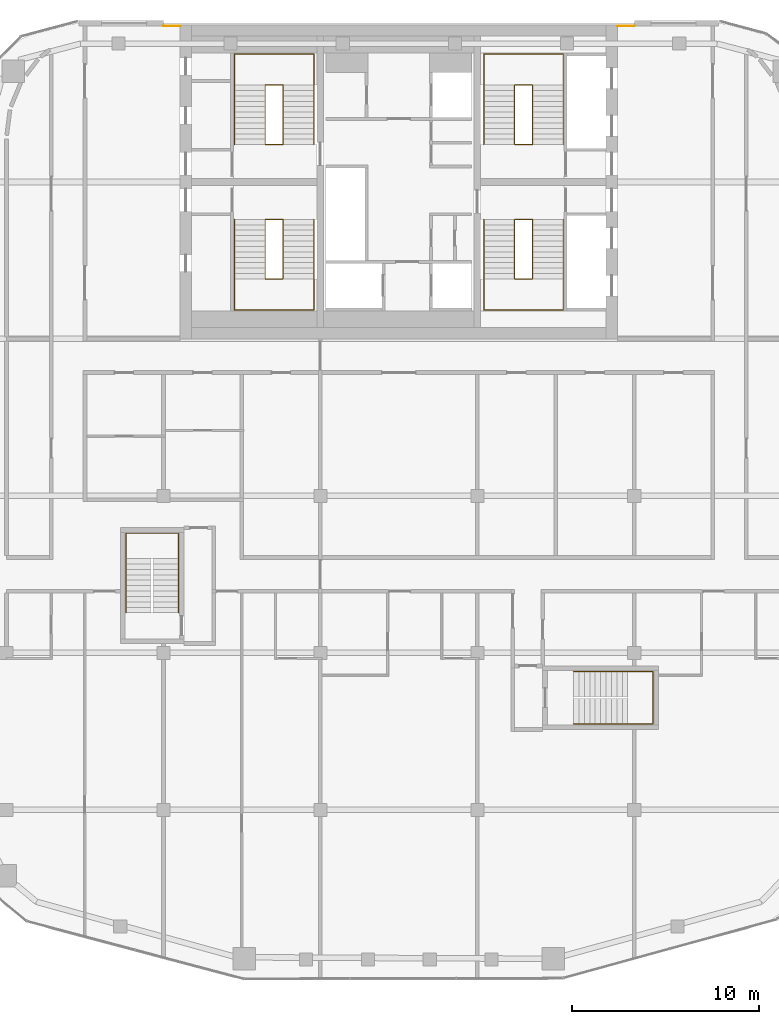
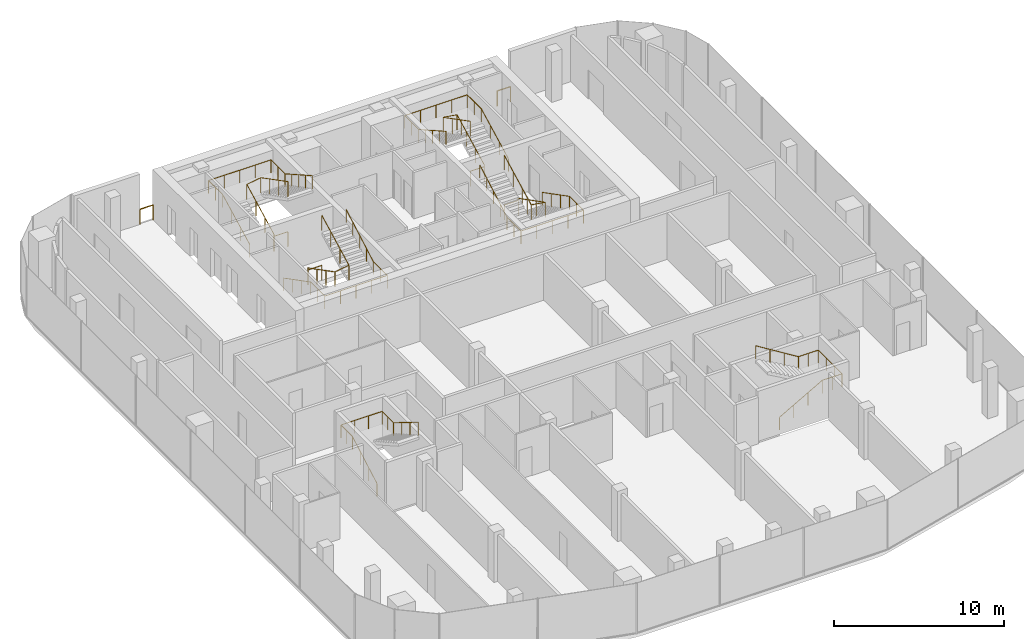
# One storey, part 19 of 19: 12 railings.
"""IFC4 building model written with IfcOpenShell, lengths in metres."""

from ifc_helpers import new_model, si_unit, direction, frame, origin, origin_2d, place, context, subcontext, project, spatial, circle, extrude, material, type_object, element, save


model = new_model("IFC4")

# Units and contexts
model_context = context("Model", 3, precision=1e-05, world=origin(), true_north=direction((0.0, 1.0)))
body_context = subcontext(model_context, "Body", "Model", "MODEL_VIEW")
ifc_project = project(units=[si_unit("LENGTHUNIT", "METRE"), si_unit("AREAUNIT", "SQUARE_METRE"), si_unit("VOLUMEUNIT", "CUBIC_METRE"), si_unit("PLANEANGLEUNIT", "RADIAN"), si_unit("MASSUNIT", "GRAM", prefix="KILO")], contexts=[model_context])

# Site, building, storey
site_placement = place(None, origin())
site = spatial("IfcSite", under=ifc_project, at=site_placement, CompositionType="ELEMENT")
building_placement = place(site_placement, origin())
building = spatial("IfcBuilding", under=site, at=building_placement, Name="Marenta Gate Hotel Tower", CompositionType="ELEMENT")
storey_placement = place(building_placement, frame((0.0, 0.0, 274.10009765625)))
storey = spatial("IfcBuildingStorey", under=building, at=storey_placement, Name="L63", CompositionType="ELEMENT", Elevation=274.10009765625)

# Railings
ifc_material_1 = material(Name="Stainless steel", Category="steel")
railing_type_1 = type_object("IfcRailingType", Name="Core stair handrail 950", PredefinedType="HANDRAIL", material=ifc_material_1)
railing_1_placement = place(storey_placement, frame((-8.800048828125, 6.39990234375, 0.14990234375)))
element("IfcRailing", 1, at=railing_1_placement, inside=storey, type_object=railing_type_1, Name="HR-950 L63-KR-ST1-1", PredefinedType="HANDRAIL", context=body_context, shape_type="SweptSolid", body=[
    extrude(circle(Radius=0.02392578125, at=origin_2d()), frame((0.0, 0.0, 0.92578125), z_axis=(0.0, -0.888225295554, 0.459408123936), x_axis=(1.0, 0.0, 0.0)), (0.0, 0.0, 1.0), 3.59130859375),
    extrude(circle(Radius=0.02392578125, at=origin_2d()), frame((0.0, -3.18994140625, 2.57568359375), z_axis=(0.0, -1.0, 0.0), x_axis=(1.0, 0.0, 0.0)), (0.0, 0.0, 1.0), 1.659912109375),
    extrude(circle(Radius=0.02392578125, at=origin_2d()), frame((0.0, -4.849853515625, 2.57568359375), z_axis=(1.0, 0.0, 0.0), x_axis=(0.0, 1.0, 0.0)), (0.0, 0.0, 1.0), 4.25),
    extrude(circle(Radius=0.02392578125, at=origin_2d()), frame((4.25, -4.849853515625, 2.57568359375), z_axis=(0.0, 1.0, 0.0), x_axis=(-1.0, 0.0, 0.0)), (0.0, 0.0, 1.0), 1.659912109375),
    extrude(circle(Radius=0.02392578125, at=origin_2d()), frame((4.25, -3.18994140625, 2.57568359375), z_axis=(0.0, 0.87090897868, 0.491444351738), x_axis=(-1.0, 0.0, 0.0)), (0.0, 0.0, 1.0), 3.662841796875),
    extrude(circle(Radius=0.02099609375, at=origin_2d()), origin(), (0.0, 0.0, 1.0), 0.90185546875),
    extrude(circle(Radius=0.02099609375, at=origin_2d()), frame((0.0, -1.063232421875, 0.550048828125)), (0.0, 0.0, 1.0), 0.90185546875),
    extrude(circle(Radius=0.02099609375, at=origin_2d()), frame((0.0, -2.126708984375, 1.099853515625)), (0.0, 0.0, 1.0), 0.90185546875),
    extrude(circle(Radius=0.02099609375, at=origin_2d()), frame((0.0, -3.18994140625, 1.64990234375)), (0.0, 0.0, 1.0), 0.90185546875),
    extrude(circle(Radius=0.02099609375, at=origin_2d()), frame((0.0, -4.02001953125, 1.64990234375)), (0.0, 0.0, 1.0), 0.90185546875),
    extrude(circle(Radius=0.02099609375, at=origin_2d()), frame((0.0, -4.849853515625, 1.64990234375)), (0.0, 0.0, 1.0), 0.90185546875),
    extrude(circle(Radius=0.02099609375, at=origin_2d()), frame((1.0625, -4.849853515625, 1.64990234375)), (0.0, 0.0, 1.0), 0.90185546875),
    extrude(circle(Radius=0.02099609375, at=origin_2d()), frame((2.125, -4.849853515625, 1.64990234375)), (0.0, 0.0, 1.0), 0.90185546875),
    extrude(circle(Radius=0.02099609375, at=origin_2d()), frame((3.1875, -4.849853515625, 1.64990234375)), (0.0, 0.0, 1.0), 0.90185546875),
    extrude(circle(Radius=0.02099609375, at=origin_2d()), frame((4.25, -4.849853515625, 1.64990234375)), (0.0, 0.0, 1.0), 0.90185546875),
    extrude(circle(Radius=0.02099609375, at=origin_2d()), frame((4.25, -4.02001953125, 1.64990234375)), (0.0, 0.0, 1.0), 0.90185546875),
    extrude(circle(Radius=0.02099609375, at=origin_2d()), frame((4.25, -3.18994140625, 1.64990234375)), (0.0, 0.0, 1.0), 0.90185546875),
    extrude(circle(Radius=0.02099609375, at=origin_2d()), frame((4.25, -2.392578125, 2.099853515625)), (0.0, 0.0, 1.0), 0.90185546875),
    extrude(circle(Radius=0.02099609375, at=origin_2d()), frame((4.25, -1.594970703125, 2.5498046875)), (0.0, 0.0, 1.0), 0.90185546875),
    extrude(circle(Radius=0.02099609375, at=origin_2d()), frame((4.25, -0.79736328125, 3.0)), (0.0, 0.0, 1.0), 0.90185546875),
    extrude(circle(Radius=0.02099609375, at=origin_2d()), frame((4.25, 0.0, 3.449951171875)), (0.0, 0.0, 1.0), 0.90185546875),
])
railing_2_placement = place(storey_placement, frame((-8.800048828125, 10.39990234375, 0.14990234375)))
element("IfcRailing", 2, at=railing_2_placement, inside=storey, type_object=railing_type_1, Name="HR-950 L63-KR-ST2-1", PredefinedType="HANDRAIL", context=body_context, shape_type="SweptSolid", body=[
    extrude(circle(Radius=0.02392578125, at=origin_2d()), frame((0.0, 0.0, 0.92578125), z_axis=(0.0, 0.888239641807, 0.459380385653), x_axis=(-1.0, 0.0, 0.0)), (0.0, 0.0, 1.0), 3.591552734375),
    extrude(circle(Radius=0.02392578125, at=origin_2d()), frame((0.0, 3.190185546875, 2.57568359375), z_axis=(0.0, 1.0, 0.0), x_axis=(-1.0, 0.0, 0.0)), (0.0, 0.0, 1.0), 1.659912109375),
    extrude(circle(Radius=0.02392578125, at=origin_2d()), frame((0.0, 4.85009765625, 2.57568359375), z_axis=(1.0, 0.0, 0.0), x_axis=(0.0, 1.0, 0.0)), (0.0, 0.0, 1.0), 4.25),
    extrude(circle(Radius=0.02392578125, at=origin_2d()), frame((4.25, 4.85009765625, 2.57568359375), z_axis=(0.0, -1.0, 0.0), x_axis=(1.0, 0.0, 0.0)), (0.0, 0.0, 1.0), 1.659912109375),
    extrude(circle(Radius=0.02392578125, at=origin_2d()), frame((4.25, 3.190185546875, 2.57568359375), z_axis=(0.0, -0.870925075533, 0.491415824742), x_axis=(1.0, 0.0, 0.0)), (0.0, 0.0, 1.0), 3.6630859375),
    extrude(circle(Radius=0.02099609375, at=origin_2d()), origin(), (0.0, 0.0, 1.0), 0.90185546875),
    extrude(circle(Radius=0.02099609375, at=origin_2d()), frame((0.0, 1.0634765625, 0.550048828125)), (0.0, 0.0, 1.0), 0.90185546875),
    extrude(circle(Radius=0.02099609375, at=origin_2d()), frame((0.0, 2.126708984375, 1.099853515625)), (0.0, 0.0, 1.0), 0.90185546875),
    extrude(circle(Radius=0.02099609375, at=origin_2d()), frame((0.0, 3.190185546875, 1.64990234375)), (0.0, 0.0, 1.0), 0.90185546875),
    extrude(circle(Radius=0.02099609375, at=origin_2d()), frame((0.0, 4.02001953125, 1.64990234375)), (0.0, 0.0, 1.0), 0.90185546875),
    extrude(circle(Radius=0.02099609375, at=origin_2d()), frame((0.0, 4.85009765625, 1.64990234375)), (0.0, 0.0, 1.0), 0.90185546875),
    extrude(circle(Radius=0.02099609375, at=origin_2d()), frame((1.0625, 4.85009765625, 1.64990234375)), (0.0, 0.0, 1.0), 0.90185546875),
    extrude(circle(Radius=0.02099609375, at=origin_2d()), frame((2.125, 4.85009765625, 1.64990234375)), (0.0, 0.0, 1.0), 0.90185546875),
    extrude(circle(Radius=0.02099609375, at=origin_2d()), frame((3.1875, 4.85009765625, 1.64990234375)), (0.0, 0.0, 1.0), 0.90185546875),
    extrude(circle(Radius=0.02099609375, at=origin_2d()), frame((4.25, 4.85009765625, 1.64990234375)), (0.0, 0.0, 1.0), 0.90185546875),
    extrude(circle(Radius=0.02099609375, at=origin_2d()), frame((4.25, 4.02001953125, 1.64990234375)), (0.0, 0.0, 1.0), 0.90185546875),
    extrude(circle(Radius=0.02099609375, at=origin_2d()), frame((4.25, 3.190185546875, 1.64990234375)), (0.0, 0.0, 1.0), 0.90185546875),
    extrude(circle(Radius=0.02099609375, at=origin_2d()), frame((4.25, 2.392578125, 2.099853515625)), (0.0, 0.0, 1.0), 0.90185546875),
    extrude(circle(Radius=0.02099609375, at=origin_2d()), frame((4.25, 1.59521484375, 2.5498046875)), (0.0, 0.0, 1.0), 0.90185546875),
    extrude(circle(Radius=0.02099609375, at=origin_2d()), frame((4.25, 0.797607421875, 3.0)), (0.0, 0.0, 1.0), 0.90185546875),
    extrude(circle(Radius=0.02099609375, at=origin_2d()), frame((4.25, 0.0, 3.449951171875)), (0.0, 0.0, 1.0), 0.90185546875),
])
railing_3_placement = place(storey_placement, frame((8.800048828125, 6.39990234375, 0.14990234375)))
element("IfcRailing", 3, at=railing_3_placement, inside=storey, type_object=railing_type_1, Name="HR-950 L63-KR-ST3-1", PredefinedType="HANDRAIL", context=body_context, shape_type="SweptSolid", body=[
    extrude(circle(Radius=0.02392578125, at=origin_2d()), frame((0.0, 0.0, 0.92578125), z_axis=(0.0, -0.888225295554, 0.459408123936), x_axis=(1.0, 0.0, 0.0)), (0.0, 0.0, 1.0), 3.59130859375),
    extrude(circle(Radius=0.02392578125, at=origin_2d()), frame((0.0, -3.18994140625, 2.57568359375), z_axis=(0.0, -1.0, 0.0), x_axis=(1.0, 0.0, 0.0)), (0.0, 0.0, 1.0), 1.659912109375),
    extrude(circle(Radius=0.02392578125, at=origin_2d()), frame((0.0, -4.849853515625, 2.57568359375), z_axis=(-1.0, 0.0, 0.0), x_axis=(0.0, -1.0, 0.0)), (0.0, 0.0, 1.0), 4.25),
    extrude(circle(Radius=0.02392578125, at=origin_2d()), frame((-4.25, -4.849853515625, 2.57568359375), z_axis=(0.0, 1.0, 0.0), x_axis=(-1.0, 0.0, 0.0)), (0.0, 0.0, 1.0), 1.659912109375),
    extrude(circle(Radius=0.02392578125, at=origin_2d()), frame((-4.25, -3.18994140625, 2.57568359375), z_axis=(0.0, 0.87090897868, 0.491444351738), x_axis=(-1.0, 0.0, 0.0)), (0.0, 0.0, 1.0), 3.662841796875),
    extrude(circle(Radius=0.02099609375, at=origin_2d()), origin(), (0.0, 0.0, 1.0), 0.90185546875),
    extrude(circle(Radius=0.02099609375, at=origin_2d()), frame((0.0, -1.063232421875, 0.550048828125)), (0.0, 0.0, 1.0), 0.90185546875),
    extrude(circle(Radius=0.02099609375, at=origin_2d()), frame((0.0, -2.126708984375, 1.099853515625)), (0.0, 0.0, 1.0), 0.90185546875),
    extrude(circle(Radius=0.02099609375, at=origin_2d()), frame((0.0, -3.18994140625, 1.64990234375)), (0.0, 0.0, 1.0), 0.90185546875),
    extrude(circle(Radius=0.02099609375, at=origin_2d()), frame((0.0, -4.02001953125, 1.64990234375)), (0.0, 0.0, 1.0), 0.90185546875),
    extrude(circle(Radius=0.02099609375, at=origin_2d()), frame((0.0, -4.849853515625, 1.64990234375)), (0.0, 0.0, 1.0), 0.90185546875),
    extrude(circle(Radius=0.02099609375, at=origin_2d()), frame((-1.0625, -4.849853515625, 1.64990234375)), (0.0, 0.0, 1.0), 0.90185546875),
    extrude(circle(Radius=0.02099609375, at=origin_2d()), frame((-2.125, -4.849853515625, 1.64990234375)), (0.0, 0.0, 1.0), 0.90185546875),
    extrude(circle(Radius=0.02099609375, at=origin_2d()), frame((-3.1875, -4.849853515625, 1.64990234375)), (0.0, 0.0, 1.0), 0.90185546875),
    extrude(circle(Radius=0.02099609375, at=origin_2d()), frame((-4.25, -4.849853515625, 1.64990234375)), (0.0, 0.0, 1.0), 0.90185546875),
    extrude(circle(Radius=0.02099609375, at=origin_2d()), frame((-4.25, -4.02001953125, 1.64990234375)), (0.0, 0.0, 1.0), 0.90185546875),
    extrude(circle(Radius=0.02099609375, at=origin_2d()), frame((-4.25, -3.18994140625, 1.64990234375)), (0.0, 0.0, 1.0), 0.90185546875),
    extrude(circle(Radius=0.02099609375, at=origin_2d()), frame((-4.25, -2.392578125, 2.099853515625)), (0.0, 0.0, 1.0), 0.90185546875),
    extrude(circle(Radius=0.02099609375, at=origin_2d()), frame((-4.25, -1.594970703125, 2.5498046875)), (0.0, 0.0, 1.0), 0.90185546875),
    extrude(circle(Radius=0.02099609375, at=origin_2d()), frame((-4.25, -0.79736328125, 3.0)), (0.0, 0.0, 1.0), 0.90185546875),
    extrude(circle(Radius=0.02099609375, at=origin_2d()), frame((-4.25, 0.0, 3.449951171875)), (0.0, 0.0, 1.0), 0.90185546875),
])
railing_4_placement = place(storey_placement, frame((8.800048828125, 10.39990234375, 0.14990234375)))
element("IfcRailing", 4, at=railing_4_placement, inside=storey, type_object=railing_type_1, Name="HR-950 L63-KR-ST4-1", PredefinedType="HANDRAIL", context=body_context, shape_type="SweptSolid", body=[
    extrude(circle(Radius=0.02392578125, at=origin_2d()), frame((0.0, 0.0, 0.92578125), z_axis=(0.0, 0.888239641807, 0.459380385653), x_axis=(-1.0, 0.0, 0.0)), (0.0, 0.0, 1.0), 3.591552734375),
    extrude(circle(Radius=0.02392578125, at=origin_2d()), frame((0.0, 3.190185546875, 2.57568359375), z_axis=(0.0, 1.0, 0.0), x_axis=(-1.0, 0.0, 0.0)), (0.0, 0.0, 1.0), 1.659912109375),
    extrude(circle(Radius=0.02392578125, at=origin_2d()), frame((0.0, 4.85009765625, 2.57568359375), z_axis=(-1.0, 0.0, 0.0), x_axis=(0.0, -1.0, 0.0)), (0.0, 0.0, 1.0), 4.25),
    extrude(circle(Radius=0.02392578125, at=origin_2d()), frame((-4.25, 4.85009765625, 2.57568359375), z_axis=(0.0, -1.0, 0.0), x_axis=(1.0, 0.0, 0.0)), (0.0, 0.0, 1.0), 1.659912109375),
    extrude(circle(Radius=0.02392578125, at=origin_2d()), frame((-4.25, 3.190185546875, 2.57568359375), z_axis=(0.0, -0.870925075533, 0.491415824742), x_axis=(1.0, 0.0, 0.0)), (0.0, 0.0, 1.0), 3.6630859375),
    extrude(circle(Radius=0.02099609375, at=origin_2d()), origin(), (0.0, 0.0, 1.0), 0.90185546875),
    extrude(circle(Radius=0.02099609375, at=origin_2d()), frame((0.0, 1.0634765625, 0.550048828125)), (0.0, 0.0, 1.0), 0.90185546875),
    extrude(circle(Radius=0.02099609375, at=origin_2d()), frame((0.0, 2.126708984375, 1.099853515625)), (0.0, 0.0, 1.0), 0.90185546875),
    extrude(circle(Radius=0.02099609375, at=origin_2d()), frame((0.0, 3.190185546875, 1.64990234375)), (0.0, 0.0, 1.0), 0.90185546875),
    extrude(circle(Radius=0.02099609375, at=origin_2d()), frame((0.0, 4.02001953125, 1.64990234375)), (0.0, 0.0, 1.0), 0.90185546875),
    extrude(circle(Radius=0.02099609375, at=origin_2d()), frame((0.0, 4.85009765625, 1.64990234375)), (0.0, 0.0, 1.0), 0.90185546875),
    extrude(circle(Radius=0.02099609375, at=origin_2d()), frame((-1.0625, 4.85009765625, 1.64990234375)), (0.0, 0.0, 1.0), 0.90185546875),
    extrude(circle(Radius=0.02099609375, at=origin_2d()), frame((-2.125, 4.85009765625, 1.64990234375)), (0.0, 0.0, 1.0), 0.90185546875),
    extrude(circle(Radius=0.02099609375, at=origin_2d()), frame((-3.1875, 4.85009765625, 1.64990234375)), (0.0, 0.0, 1.0), 0.90185546875),
    extrude(circle(Radius=0.02099609375, at=origin_2d()), frame((-4.25, 4.85009765625, 1.64990234375)), (0.0, 0.0, 1.0), 0.90185546875),
    extrude(circle(Radius=0.02099609375, at=origin_2d()), frame((-4.25, 4.02001953125, 1.64990234375)), (0.0, 0.0, 1.0), 0.90185546875),
    extrude(circle(Radius=0.02099609375, at=origin_2d()), frame((-4.25, 3.190185546875, 1.64990234375)), (0.0, 0.0, 1.0), 0.90185546875),
    extrude(circle(Radius=0.02099609375, at=origin_2d()), frame((-4.25, 2.392578125, 2.099853515625)), (0.0, 0.0, 1.0), 0.90185546875),
    extrude(circle(Radius=0.02099609375, at=origin_2d()), frame((-4.25, 1.59521484375, 2.5498046875)), (0.0, 0.0, 1.0), 0.90185546875),
    extrude(circle(Radius=0.02099609375, at=origin_2d()), frame((-4.25, 0.797607421875, 3.0)), (0.0, 0.0, 1.0), 0.90185546875),
    extrude(circle(Radius=0.02099609375, at=origin_2d()), frame((-4.25, 0.0, 3.449951171875)), (0.0, 0.0, 1.0), 0.90185546875),
])
railing_5_placement = place(storey_placement, frame((9.35009765625, -20.60009765625, 0.16357421875)))
element("IfcRailing", 5, at=railing_5_placement, inside=storey, type_object=railing_type_1, Name="HR-950 L63-RS-Z4-1-KR-1", PredefinedType="HANDRAIL", context=body_context, shape_type="SweptSolid", body=[
    extrude(circle(Radius=0.02392578125, at=origin_2d()), frame((0.0, 0.0, 0.92578125), z_axis=(0.870928581787, 0.0, 0.491409610636), x_axis=(0.0, 1.0, 0.0)), (0.0, 0.0, 1.0), 3.32958984375),
    extrude(circle(Radius=0.02392578125, at=origin_2d()), frame((2.89990234375, 0.0, 2.56201171875), z_axis=(1.0, 0.0, 0.0), x_axis=(0.0, 1.0, 0.0)), (0.0, 0.0, 1.0), 1.35009765625),
    extrude(circle(Radius=0.02392578125, at=origin_2d()), frame((4.25, 0.0, 2.56201171875), z_axis=(0.0, 1.0, 0.0), x_axis=(-1.0, 0.0, 0.0)), (0.0, 0.0, 1.0), 2.800048828125),
    extrude(circle(Radius=0.02392578125, at=origin_2d()), frame((4.25, 2.800048828125, 2.56201171875), z_axis=(-1.0, 0.0, 0.0), x_axis=(0.0, -1.0, 0.0)), (0.0, 0.0, 1.0), 1.35009765625),
    extrude(circle(Radius=0.02392578125, at=origin_2d()), frame((2.89990234375, 2.800048828125, 2.56201171875), z_axis=(-0.849625798611, 0.0, 0.527386008853), x_axis=(0.0, -1.0, 0.0)), (0.0, 0.0, 1.0), 3.4130859375),
    extrude(circle(Radius=0.02099609375, at=origin_2d()), origin(), (0.0, 0.0, 1.0), 0.90185546875),
    extrude(circle(Radius=0.02099609375, at=origin_2d()), frame((0.966552734375, 0.0, 0.54541015625)), (0.0, 0.0, 1.0), 0.90185546875),
    extrude(circle(Radius=0.02099609375, at=origin_2d()), frame((1.933349609375, 0.0, 1.0908203125)), (0.0, 0.0, 1.0), 0.90185546875),
    extrude(circle(Radius=0.02099609375, at=origin_2d()), frame((2.89990234375, 0.0, 1.63623046875)), (0.0, 0.0, 1.0), 0.90185546875),
    extrude(circle(Radius=0.02099609375, at=origin_2d()), frame((3.574951171875, 0.0, 1.63623046875)), (0.0, 0.0, 1.0), 0.90185546875),
    extrude(circle(Radius=0.02099609375, at=origin_2d()), frame((4.25, 0.0, 1.63623046875)), (0.0, 0.0, 1.0), 0.90185546875),
    extrude(circle(Radius=0.02099609375, at=origin_2d()), frame((4.25, 0.933349609375, 1.63623046875)), (0.0, 0.0, 1.0), 0.90185546875),
    extrude(circle(Radius=0.02099609375, at=origin_2d()), frame((4.25, 1.86669921875, 1.63623046875)), (0.0, 0.0, 1.0), 0.90185546875),
    extrude(circle(Radius=0.02099609375, at=origin_2d()), frame((4.25, 2.800048828125, 1.63623046875)), (0.0, 0.0, 1.0), 0.90185546875),
    extrude(circle(Radius=0.02099609375, at=origin_2d()), frame((3.574951171875, 2.800048828125, 1.63623046875)), (0.0, 0.0, 1.0), 0.90185546875),
    extrude(circle(Radius=0.02099609375, at=origin_2d()), frame((2.89990234375, 2.800048828125, 1.63623046875)), (0.0, 0.0, 1.0), 0.90185546875),
    extrude(circle(Radius=0.02099609375, at=origin_2d()), frame((1.933349609375, 2.800048828125, 2.236328125)), (0.0, 0.0, 1.0), 0.90185546875),
    extrude(circle(Radius=0.02099609375, at=origin_2d()), frame((0.966552734375, 2.800048828125, 2.836181640625)), (0.0, 0.0, 1.0), 0.90185546875),
    extrude(circle(Radius=0.02099609375, at=origin_2d()), frame((0.0, 2.800048828125, 3.436279296875)), (0.0, 0.0, 1.0), 0.90185546875),
])
railing_6_placement = place(storey_placement, frame((-14.60009765625, -14.64990234375, 0.16357421875)))
element("IfcRailing", 6, at=railing_6_placement, inside=storey, type_object=railing_type_1, Name="HR-950 L63-RS-Z4-2-KR-1", PredefinedType="HANDRAIL", context=body_context, shape_type="SweptSolid", body=[
    extrude(circle(Radius=0.02392578125, at=origin_2d()), frame((0.0, 0.0, 0.92578125), z_axis=(0.0, 0.870928581787, 0.491409610636), x_axis=(-1.0, 0.0, 0.0)), (0.0, 0.0, 1.0), 3.32958984375),
    extrude(circle(Radius=0.02392578125, at=origin_2d()), frame((0.0, 2.89990234375, 2.56201171875), z_axis=(0.0, 1.0, 0.0), x_axis=(-1.0, 0.0, 0.0)), (0.0, 0.0, 1.0), 1.35009765625),
    extrude(circle(Radius=0.02392578125, at=origin_2d()), frame((0.0, 4.25, 2.56201171875), z_axis=(1.0, 0.0, 0.0), x_axis=(0.0, 1.0, 0.0)), (0.0, 0.0, 1.0), 2.800048828125),
    extrude(circle(Radius=0.02392578125, at=origin_2d()), frame((2.800048828125, 4.25, 2.56201171875), z_axis=(0.0, -1.0, 0.0), x_axis=(1.0, 0.0, 0.0)), (0.0, 0.0, 1.0), 1.35009765625),
    extrude(circle(Radius=0.02392578125, at=origin_2d()), frame((2.800048828125, 2.89990234375, 2.56201171875), z_axis=(0.0, -0.849625798611, 0.527386008853), x_axis=(1.0, 0.0, 0.0)), (0.0, 0.0, 1.0), 3.4130859375),
    extrude(circle(Radius=0.02099609375, at=origin_2d()), origin(), (0.0, 0.0, 1.0), 0.90185546875),
    extrude(circle(Radius=0.02099609375, at=origin_2d()), frame((0.0, 0.966552734375, 0.54541015625)), (0.0, 0.0, 1.0), 0.90185546875),
    extrude(circle(Radius=0.02099609375, at=origin_2d()), frame((0.0, 1.933349609375, 1.0908203125)), (0.0, 0.0, 1.0), 0.90185546875),
    extrude(circle(Radius=0.02099609375, at=origin_2d()), frame((0.0, 2.89990234375, 1.63623046875)), (0.0, 0.0, 1.0), 0.90185546875),
    extrude(circle(Radius=0.02099609375, at=origin_2d()), frame((0.0, 3.574951171875, 1.63623046875)), (0.0, 0.0, 1.0), 0.90185546875),
    extrude(circle(Radius=0.02099609375, at=origin_2d()), frame((0.0, 4.25, 1.63623046875)), (0.0, 0.0, 1.0), 0.90185546875),
    extrude(circle(Radius=0.02099609375, at=origin_2d()), frame((0.933349609375, 4.25, 1.63623046875)), (0.0, 0.0, 1.0), 0.90185546875),
    extrude(circle(Radius=0.02099609375, at=origin_2d()), frame((1.86669921875, 4.25, 1.63623046875)), (0.0, 0.0, 1.0), 0.90185546875),
    extrude(circle(Radius=0.02099609375, at=origin_2d()), frame((2.800048828125, 4.25, 1.63623046875)), (0.0, 0.0, 1.0), 0.90185546875),
    extrude(circle(Radius=0.02099609375, at=origin_2d()), frame((2.800048828125, 3.574951171875, 1.63623046875)), (0.0, 0.0, 1.0), 0.90185546875),
    extrude(circle(Radius=0.02099609375, at=origin_2d()), frame((2.800048828125, 2.89990234375, 1.63623046875)), (0.0, 0.0, 1.0), 0.90185546875),
    extrude(circle(Radius=0.02099609375, at=origin_2d()), frame((2.800048828125, 1.933349609375, 2.236328125)), (0.0, 0.0, 1.0), 0.90185546875),
    extrude(circle(Radius=0.02099609375, at=origin_2d()), frame((2.800048828125, 0.966552734375, 2.836181640625)), (0.0, 0.0, 1.0), 0.90185546875),
    extrude(circle(Radius=0.02099609375, at=origin_2d()), frame((2.800048828125, 0.0, 3.436279296875)), (0.0, 0.0, 1.0), 0.90185546875),
])
ifc_material_2 = material(Name="Stainless steel", Category="steel")
railing_type_2 = type_object("IfcRailingType", Name="Core stair well guard 1100", PredefinedType="GUARDRAIL", material=ifc_material_2)
railing_7_placement = place(storey_placement, frame((-6.199951171875, 6.39990234375, 0.0)))
element("IfcRailing", 7, at=railing_7_placement, inside=storey, type_object=railing_type_2, Name="GR-1100 L63-KR-ST1-2", PredefinedType="GUARDRAIL", context=body_context, shape_type="SweptSolid", body=[
    extrude(circle(Radius=0.02392578125, at=origin_2d()), frame((0.0, 0.0, 1.076171875), z_axis=(-1.0, 0.0, 0.0), x_axis=(0.0, -1.0, 0.0)), (0.0, 0.0, 1.0), 0.949951171875),
    extrude(circle(Radius=0.02392578125, at=origin_2d()), frame((-0.949951171875, 0.0, 1.076171875), z_axis=(0.0, 0.0, 1.0), x_axis=(1.0, 0.0, 0.0)), (0.0, 0.0, 1.0), 0.14990234375),
    extrude(circle(Radius=0.02392578125, at=origin_2d()), frame((-0.949951171875, 0.0, 1.22607421875), z_axis=(0.0, -0.888225295554, 0.459408123936), x_axis=(1.0, 0.0, 0.0)), (0.0, 0.0, 1.0), 3.59130859375),
    extrude(circle(Radius=0.02392578125, at=origin_2d()), frame((-0.949951171875, -3.18994140625, 2.8759765625), z_axis=(0.987738253826, 0.0, 0.156118999255), x_axis=(0.0, 1.0, 0.0)), (0.0, 0.0, 1.0), 0.961669921875),
    extrude(circle(Radius=0.02392578125, at=origin_2d()), frame((0.0, -3.18994140625, 3.02587890625), z_axis=(0.0, 0.888225295554, 0.459408123936), x_axis=(-1.0, 0.0, 0.0)), (0.0, 0.0, 1.0), 3.59130859375),
    extrude(circle(Radius=0.02099609375, at=origin_2d()), origin(), (0.0, 0.0, 1.0), 1.052001953125),
    extrude(circle(Radius=0.02099609375, at=origin_2d()), frame((-0.949951171875, 0.0, 0.0)), (0.0, 0.0, 1.0), 1.052001953125),
    extrude(circle(Radius=0.02099609375, at=origin_2d()), frame((-0.949951171875, 0.0, 0.14990234375)), (0.0, 0.0, 1.0), 1.052001953125),
    extrude(circle(Radius=0.02099609375, at=origin_2d()), frame((-0.949951171875, -1.063232421875, 0.699951171875)), (0.0, 0.0, 1.0), 1.052001953125),
    extrude(circle(Radius=0.02099609375, at=origin_2d()), frame((-0.949951171875, -2.126708984375, 1.249755859375)), (0.0, 0.0, 1.0), 1.052001953125),
    extrude(circle(Radius=0.02099609375, at=origin_2d()), frame((-0.949951171875, -3.18994140625, 1.7998046875)), (0.0, 0.0, 1.0), 1.052001953125),
    extrude(circle(Radius=0.02099609375, at=origin_2d()), frame((0.0, -3.18994140625, 1.949951171875)), (0.0, 0.0, 1.0), 1.052001953125),
    extrude(circle(Radius=0.02099609375, at=origin_2d()), frame((0.0, -2.126708984375, 2.5)), (0.0, 0.0, 1.0), 1.052001953125),
    extrude(circle(Radius=0.02099609375, at=origin_2d()), frame((0.0, -1.063232421875, 3.0498046875)), (0.0, 0.0, 1.0), 1.052001953125),
    extrude(circle(Radius=0.02099609375, at=origin_2d()), frame((0.0, 0.0, 3.599853515625)), (0.0, 0.0, 1.0), 1.052001953125),
])
railing_8_placement = place(storey_placement, frame((-6.199951171875, 10.39990234375, 0.0)))
element("IfcRailing", 8, at=railing_8_placement, inside=storey, type_object=railing_type_2, Name="GR-1100 L63-KR-ST2-2", PredefinedType="GUARDRAIL", context=body_context, shape_type="SweptSolid", body=[
    extrude(circle(Radius=0.02392578125, at=origin_2d()), frame((0.0, 0.0, 1.076171875), z_axis=(-1.0, 0.0, 0.0), x_axis=(0.0, -1.0, 0.0)), (0.0, 0.0, 1.0), 0.949951171875),
    extrude(circle(Radius=0.02392578125, at=origin_2d()), frame((-0.949951171875, 0.0, 1.076171875), z_axis=(0.0, 0.0, 1.0), x_axis=(1.0, 0.0, 0.0)), (0.0, 0.0, 1.0), 0.14990234375),
    extrude(circle(Radius=0.02392578125, at=origin_2d()), frame((-0.949951171875, 0.0, 1.22607421875), z_axis=(0.0, 0.888239641807, 0.459380385653), x_axis=(-1.0, 0.0, 0.0)), (0.0, 0.0, 1.0), 3.591552734375),
    extrude(circle(Radius=0.02392578125, at=origin_2d()), frame((-0.949951171875, 3.190185546875, 2.8759765625), z_axis=(0.987738253826, 0.0, 0.156118999255), x_axis=(0.0, 1.0, 0.0)), (0.0, 0.0, 1.0), 0.961669921875),
    extrude(circle(Radius=0.02392578125, at=origin_2d()), frame((0.0, 3.190185546875, 3.02587890625), z_axis=(0.0, -0.888239641807, 0.459380385653), x_axis=(1.0, 0.0, 0.0)), (0.0, 0.0, 1.0), 3.591552734375),
    extrude(circle(Radius=0.02099609375, at=origin_2d()), origin(), (0.0, 0.0, 1.0), 1.052001953125),
    extrude(circle(Radius=0.02099609375, at=origin_2d()), frame((-0.949951171875, 0.0, 0.0)), (0.0, 0.0, 1.0), 1.052001953125),
    extrude(circle(Radius=0.02099609375, at=origin_2d()), frame((-0.949951171875, 0.0, 0.14990234375)), (0.0, 0.0, 1.0), 1.052001953125),
    extrude(circle(Radius=0.02099609375, at=origin_2d()), frame((-0.949951171875, 1.0634765625, 0.699951171875)), (0.0, 0.0, 1.0), 1.052001953125),
    extrude(circle(Radius=0.02099609375, at=origin_2d()), frame((-0.949951171875, 2.126708984375, 1.249755859375)), (0.0, 0.0, 1.0), 1.052001953125),
    extrude(circle(Radius=0.02099609375, at=origin_2d()), frame((-0.949951171875, 3.190185546875, 1.7998046875)), (0.0, 0.0, 1.0), 1.052001953125),
    extrude(circle(Radius=0.02099609375, at=origin_2d()), frame((0.0, 3.190185546875, 1.949951171875)), (0.0, 0.0, 1.0), 1.052001953125),
    extrude(circle(Radius=0.02099609375, at=origin_2d()), frame((0.0, 2.126708984375, 2.5)), (0.0, 0.0, 1.0), 1.052001953125),
    extrude(circle(Radius=0.02099609375, at=origin_2d()), frame((0.0, 1.0634765625, 3.0498046875)), (0.0, 0.0, 1.0), 1.052001953125),
    extrude(circle(Radius=0.02099609375, at=origin_2d()), frame((0.0, 0.0, 3.599853515625)), (0.0, 0.0, 1.0), 1.052001953125),
])
railing_9_placement = place(storey_placement, frame((6.199951171875, 6.39990234375, 0.0)))
element("IfcRailing", 9, at=railing_9_placement, inside=storey, type_object=railing_type_2, Name="GR-1100 L63-KR-ST3-2", PredefinedType="GUARDRAIL", context=body_context, shape_type="SweptSolid", body=[
    extrude(circle(Radius=0.02392578125, at=origin_2d()), frame((0.0, 0.0, 1.076171875), z_axis=(1.0, 0.0, 0.0), x_axis=(0.0, 1.0, 0.0)), (0.0, 0.0, 1.0), 0.949951171875),
    extrude(circle(Radius=0.02392578125, at=origin_2d()), frame((0.949951171875, 0.0, 1.076171875), z_axis=(0.0, 0.0, 1.0), x_axis=(1.0, 0.0, 0.0)), (0.0, 0.0, 1.0), 0.14990234375),
    extrude(circle(Radius=0.02392578125, at=origin_2d()), frame((0.949951171875, 0.0, 1.22607421875), z_axis=(0.0, -0.888225295554, 0.459408123936), x_axis=(1.0, 0.0, 0.0)), (0.0, 0.0, 1.0), 3.59130859375),
    extrude(circle(Radius=0.02392578125, at=origin_2d()), frame((0.949951171875, -3.18994140625, 2.8759765625), z_axis=(-0.987738253826, 0.0, 0.156118999255), x_axis=(0.0, -1.0, 0.0)), (0.0, 0.0, 1.0), 0.961669921875),
    extrude(circle(Radius=0.02392578125, at=origin_2d()), frame((0.0, -3.18994140625, 3.02587890625), z_axis=(0.0, 0.888225295554, 0.459408123936), x_axis=(-1.0, 0.0, 0.0)), (0.0, 0.0, 1.0), 3.59130859375),
    extrude(circle(Radius=0.02099609375, at=origin_2d()), origin(), (0.0, 0.0, 1.0), 1.052001953125),
    extrude(circle(Radius=0.02099609375, at=origin_2d()), frame((0.949951171875, 0.0, 0.0)), (0.0, 0.0, 1.0), 1.052001953125),
    extrude(circle(Radius=0.02099609375, at=origin_2d()), frame((0.949951171875, 0.0, 0.14990234375)), (0.0, 0.0, 1.0), 1.052001953125),
    extrude(circle(Radius=0.02099609375, at=origin_2d()), frame((0.949951171875, -1.063232421875, 0.699951171875)), (0.0, 0.0, 1.0), 1.052001953125),
    extrude(circle(Radius=0.02099609375, at=origin_2d()), frame((0.949951171875, -2.126708984375, 1.249755859375)), (0.0, 0.0, 1.0), 1.052001953125),
    extrude(circle(Radius=0.02099609375, at=origin_2d()), frame((0.949951171875, -3.18994140625, 1.7998046875)), (0.0, 0.0, 1.0), 1.052001953125),
    extrude(circle(Radius=0.02099609375, at=origin_2d()), frame((0.0, -3.18994140625, 1.949951171875)), (0.0, 0.0, 1.0), 1.052001953125),
    extrude(circle(Radius=0.02099609375, at=origin_2d()), frame((0.0, -2.126708984375, 2.5)), (0.0, 0.0, 1.0), 1.052001953125),
    extrude(circle(Radius=0.02099609375, at=origin_2d()), frame((0.0, -1.063232421875, 3.0498046875)), (0.0, 0.0, 1.0), 1.052001953125),
    extrude(circle(Radius=0.02099609375, at=origin_2d()), frame((0.0, 0.0, 3.599853515625)), (0.0, 0.0, 1.0), 1.052001953125),
])
railing_10_placement = place(storey_placement, frame((6.199951171875, 10.39990234375, 0.0)))
element("IfcRailing", 10, at=railing_10_placement, inside=storey, type_object=railing_type_2, Name="GR-1100 L63-KR-ST4-2", PredefinedType="GUARDRAIL", context=body_context, shape_type="SweptSolid", body=[
    extrude(circle(Radius=0.02392578125, at=origin_2d()), frame((0.0, 0.0, 1.076171875), z_axis=(1.0, 0.0, 0.0), x_axis=(0.0, 1.0, 0.0)), (0.0, 0.0, 1.0), 0.949951171875),
    extrude(circle(Radius=0.02392578125, at=origin_2d()), frame((0.949951171875, 0.0, 1.076171875), z_axis=(0.0, 0.0, 1.0), x_axis=(1.0, 0.0, 0.0)), (0.0, 0.0, 1.0), 0.14990234375),
    extrude(circle(Radius=0.02392578125, at=origin_2d()), frame((0.949951171875, 0.0, 1.22607421875), z_axis=(0.0, 0.888239641807, 0.459380385653), x_axis=(-1.0, 0.0, 0.0)), (0.0, 0.0, 1.0), 3.591552734375),
    extrude(circle(Radius=0.02392578125, at=origin_2d()), frame((0.949951171875, 3.190185546875, 2.8759765625), z_axis=(-0.987738253826, 0.0, 0.156118999255), x_axis=(0.0, -1.0, 0.0)), (0.0, 0.0, 1.0), 0.961669921875),
    extrude(circle(Radius=0.02392578125, at=origin_2d()), frame((0.0, 3.190185546875, 3.02587890625), z_axis=(0.0, -0.888239641807, 0.459380385653), x_axis=(1.0, 0.0, 0.0)), (0.0, 0.0, 1.0), 3.591552734375),
    extrude(circle(Radius=0.02099609375, at=origin_2d()), origin(), (0.0, 0.0, 1.0), 1.052001953125),
    extrude(circle(Radius=0.02099609375, at=origin_2d()), frame((0.949951171875, 0.0, 0.0)), (0.0, 0.0, 1.0), 1.052001953125),
    extrude(circle(Radius=0.02099609375, at=origin_2d()), frame((0.949951171875, 0.0, 0.14990234375)), (0.0, 0.0, 1.0), 1.052001953125),
    extrude(circle(Radius=0.02099609375, at=origin_2d()), frame((0.949951171875, 1.0634765625, 0.699951171875)), (0.0, 0.0, 1.0), 1.052001953125),
    extrude(circle(Radius=0.02099609375, at=origin_2d()), frame((0.949951171875, 2.126708984375, 1.249755859375)), (0.0, 0.0, 1.0), 1.052001953125),
    extrude(circle(Radius=0.02099609375, at=origin_2d()), frame((0.949951171875, 3.190185546875, 1.7998046875)), (0.0, 0.0, 1.0), 1.052001953125),
    extrude(circle(Radius=0.02099609375, at=origin_2d()), frame((0.0, 3.190185546875, 1.949951171875)), (0.0, 0.0, 1.0), 1.052001953125),
    extrude(circle(Radius=0.02099609375, at=origin_2d()), frame((0.0, 2.126708984375, 2.5)), (0.0, 0.0, 1.0), 1.052001953125),
    extrude(circle(Radius=0.02099609375, at=origin_2d()), frame((0.0, 1.0634765625, 3.0498046875)), (0.0, 0.0, 1.0), 1.052001953125),
    extrude(circle(Radius=0.02099609375, at=origin_2d()), frame((0.0, 0.0, 3.599853515625)), (0.0, 0.0, 1.0), 1.052001953125),
])
ifc_material_3 = material(Name="Stainless steel", Category="steel")
railing_type_3 = type_object("IfcRailingType", Name="Slab edge guard 1100", PredefinedType="GUARDRAIL", material=ifc_material_3)
railing_11_placement = place(storey_placement, frame((11.699951171875, 16.75, 0.0)))
element("IfcRailing", 11, at=railing_11_placement, inside=storey, type_object=railing_type_3, Name="GR-1100E L63-KR-EGE-1", PredefinedType="GUARDRAIL", context=body_context, shape_type="SweptSolid", body=[
    extrude(circle(Radius=0.02392578125, at=origin_2d()), frame((0.0, 0.0, 1.076171875), z_axis=(1.0, 0.0, 0.0), x_axis=(0.0, 1.0, 0.0)), (0.0, 0.0, 1.0), 0.900146484375),
    extrude(circle(Radius=0.02099609375, at=origin_2d()), origin(), (0.0, 0.0, 1.0), 1.052001953125),
    extrude(circle(Radius=0.02099609375, at=origin_2d()), frame((0.900146484375, 0.0, 0.0)), (0.0, 0.0, 1.0), 1.052001953125),
])
railing_12_placement = place(storey_placement, frame((-11.699951171875, 16.75, 0.0)))
element("IfcRailing", 12, at=railing_12_placement, inside=storey, type_object=railing_type_3, Name="GR-1100E L63-KR-EGW-1", PredefinedType="GUARDRAIL", context=body_context, shape_type="SweptSolid", body=[
    extrude(circle(Radius=0.02392578125, at=origin_2d()), frame((0.0, 0.0, 1.076171875), z_axis=(-1.0, 0.0, 0.0), x_axis=(0.0, -1.0, 0.0)), (0.0, 0.0, 1.0), 0.900146484375),
    extrude(circle(Radius=0.02099609375, at=origin_2d()), origin(), (0.0, 0.0, 1.0), 1.052001953125),
    extrude(circle(Radius=0.02099609375, at=origin_2d()), frame((-0.900146484375, 0.0, 0.0)), (0.0, 0.0, 1.0), 1.052001953125),
])

save(model, "model.ifc")
